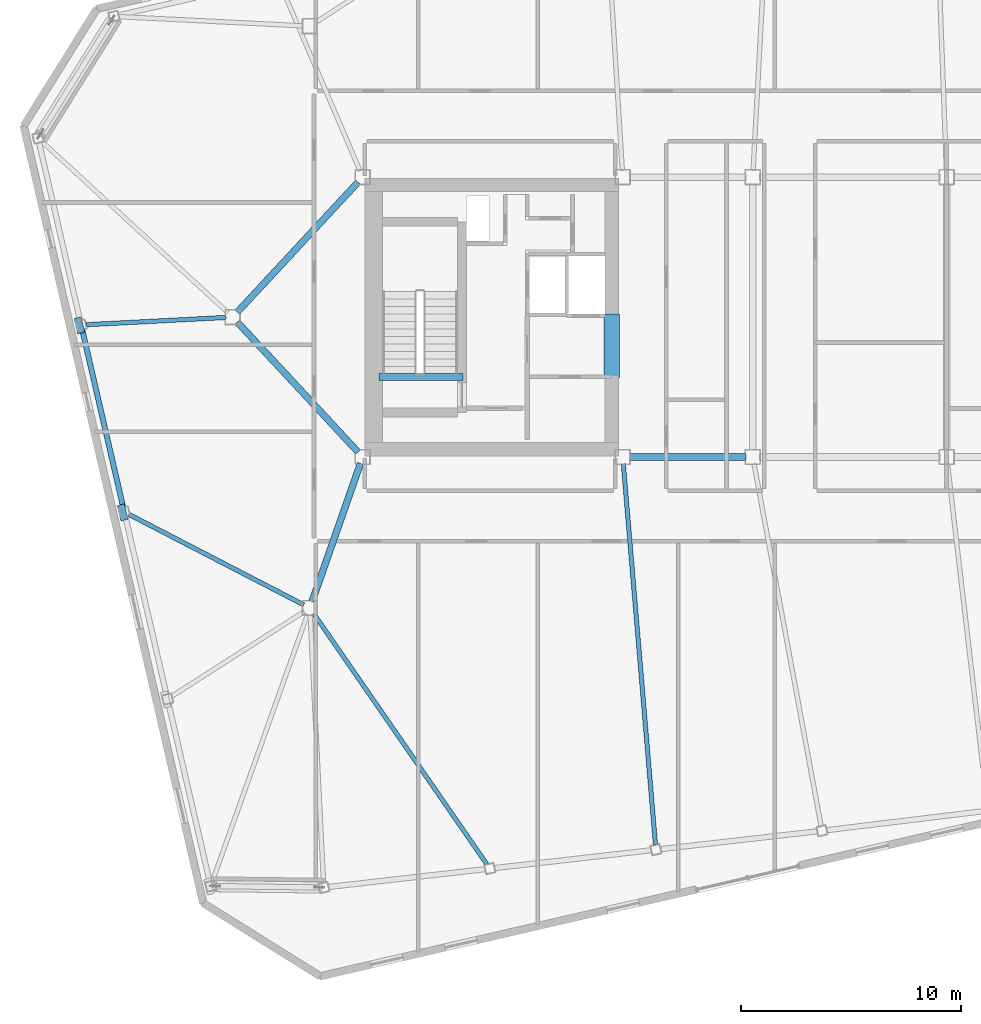
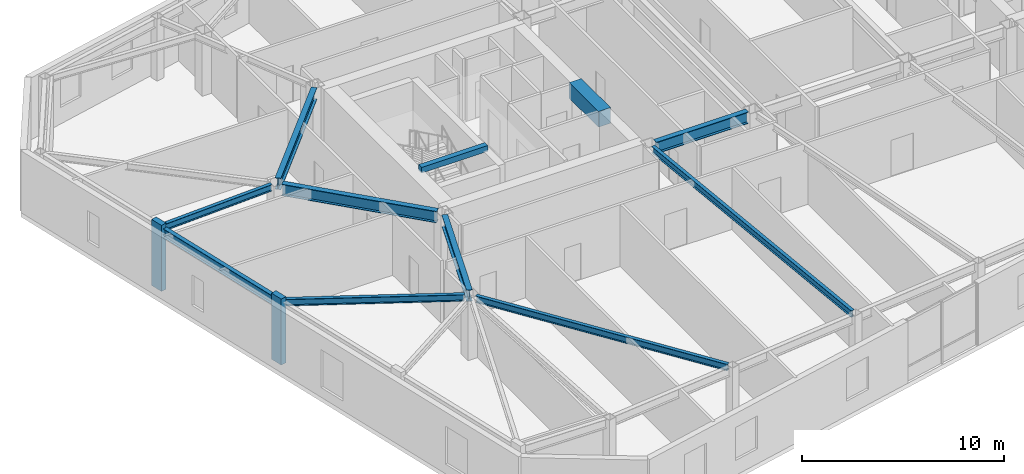
# One storey, part 6 of 23: 11 beams, 2 members.
"""IFC4 building model written with IfcOpenShell, lengths in metres."""

from ifc_helpers import new_model, si_unit, direction, frame, origin, origin_2d, place, context, subcontext, project, spatial, rectangle, i_section, extrude, material, material_profile, profile_set, type_object, element, save


model = new_model("IFC4")

# Units and contexts
model_context = context("Model", 3, precision=1e-05, world=origin(), true_north=direction((0.0, 1.0)))
body_context = subcontext(model_context, "Body", "Model", "MODEL_VIEW")
ifc_project = project(units=[si_unit("LENGTHUNIT", "METRE"), si_unit("AREAUNIT", "SQUARE_METRE"), si_unit("VOLUMEUNIT", "CUBIC_METRE"), si_unit("PLANEANGLEUNIT", "RADIAN"), si_unit("MASSUNIT", "GRAM", prefix="KILO")], contexts=[model_context])

# Site, building, storey
site_placement = place(None, origin())
site = spatial("IfcSite", under=ifc_project, at=site_placement, CompositionType="ELEMENT")
building_placement = place(site_placement, origin())
building = spatial("IfcBuilding", under=site, at=building_placement, Name="Tavrogorsk Clinical Tower", CompositionType="ELEMENT")
storey_placement = place(building_placement, frame((0.0, 0.0, 301.0)))
storey = spatial("IfcBuildingStorey", under=building, at=storey_placement, Name="L70", CompositionType="ELEMENT", Elevation=301.0)

# Beams
ifc_material_1 = material(Name="Concrete B80", Category="concrete")
ifc_material_profile_1 = material_profile(ifc_material_1, rectangle(XDim=0.699951171875, YDim=0.949951171875, at=origin_2d()), Name="RC-CB-700x950")
ifc_profile_set_1 = profile_set([ifc_material_profile_1], Name="Concrete B80")
beam_type_1 = type_object("IfcBeamType", Name="CouplingBeam_RC700x950", PredefinedType="LINTEL", material=ifc_profile_set_1)
beam_1_placement = place(storey_placement, frame((-10.800048828125, -2.75, 3.264892578125), z_axis=(0.0, 1.0, 0.0), x_axis=(-1.0, 0.0, 0.0)))
element("IfcBeam", 1, at=beam_1_placement, inside=storey, type_object=beam_type_1, Name="L70 Core West Coupling Beam", PredefinedType="LINTEL", context=body_context, shape_type="SweptSolid", body=[
    extrude(rectangle(XDim=0.699951171875, YDim=0.949951171875, at=origin_2d()), origin(), (0.0, 0.0, 1.0), 2.89990234375),
])
ifc_material_2 = material(Name="Structural steel S355", Category="steel")
ifc_material_profile_2 = material_profile(ifc_material_2, i_section(OverallWidth=0.199951171875, OverallDepth=0.39990234375, WebThickness=0.010498046875, FlangeThickness=0.01611328125, at=origin_2d()), Name="B-400x200x10.5x16")
ifc_profile_set_2 = profile_set([ifc_material_profile_2], Name="Structural steel S355")
beam_type_2 = type_object("IfcBeamType", Name="FloorBeam_B400", PredefinedType="BEAM", material=ifc_profile_set_2)
beam_2_placement = place(storey_placement, frame((-24.32373046875, -13.455078125, 3.5400390625), z_axis=(0.568335848504, -0.82279667191, 0.0), x_axis=(0.82279667191, 0.568335848504, 0.0)))
element("IfcBeam", 2, at=beam_2_placement, inside=storey, type_object=beam_type_2, Name="L70 Radial Floor Beam S2", PredefinedType="BEAM", context=body_context, shape_type="SweptSolid", body=[
    extrude(i_section(OverallWidth=0.199951171875, OverallDepth=0.39990234375, WebThickness=0.010498046875, FlangeThickness=0.01611328125, at=origin_2d()), origin(), (0.0, 0.0, 1.0), 13.831298828125),
])
beam_3_placement = place(storey_placement, frame((-10.27392578125, -6.658935546875, 3.5400390625), z_axis=(0.084215365049, -0.996447576288, 0.0), x_axis=(0.996447576288, 0.084215365049, 0.0)))
element("IfcBeam", 3, at=beam_3_placement, inside=storey, type_object=beam_type_2, Name="L70 Radial Floor Beam S3", PredefinedType="BEAM", context=body_context, shape_type="SweptSolid", body=[
    extrude(i_section(OverallWidth=0.199951171875, OverallDepth=0.39990234375, WebThickness=0.010498046875, FlangeThickness=0.01611328125, at=origin_2d()), origin(), (0.0, 0.0, 1.0), 17.3388671875),
])
beam_4_placement = place(storey_placement, frame((-28.3095703125, -0.01611328125, 3.5400390625), z_axis=(-0.99864101713, -0.052116397656, 0.0), x_axis=(0.052116397656, -0.99864101713, 0.0)))
element("IfcBeam", 4, at=beam_4_placement, inside=storey, type_object=beam_type_2, Name="L70 Radial Floor Beam W2", PredefinedType="BEAM", context=body_context, shape_type="SweptSolid", body=[
    extrude(i_section(OverallWidth=0.199951171875, OverallDepth=0.39990234375, WebThickness=0.010498046875, FlangeThickness=0.01611328125, at=origin_2d()), origin(), (0.0, 0.0, 1.0), 6.3427734375),
])
beam_5_placement = place(storey_placement, frame((-24.775390625, -13.0576171875, 3.5400390625), z_axis=(-0.888188417157, 0.459479418069, 0.0), x_axis=(-0.459479418069, -0.888188417157, 0.0)))
element("IfcBeam", 5, at=beam_5_placement, inside=storey, type_object=beam_type_2, Name="L70 Radial Floor Beam W3", PredefinedType="BEAM", context=body_context, shape_type="SweptSolid", body=[
    extrude(i_section(OverallWidth=0.199951171875, OverallDepth=0.39990234375, WebThickness=0.010498046875, FlangeThickness=0.01611328125, at=origin_2d()), origin(), (0.0, 0.0, 1.0), 8.93408203125),
])

# Members
ifc_material_3 = material(Name="Precast concrete B45 with limestone cladding", Category="masonry")
ifc_material_profile_3 = material_profile(ifc_material_3, rectangle(XDim=0.320068359375, YDim=0.719970703125, at=origin_2d()), Name="LIMESTONE-FIN-320x720")
ifc_profile_set_3 = profile_set([ifc_material_profile_3], Name="Precast concrete B45 with limestone cladding")
member_type = type_object("IfcMemberType", Name="LimestonePleatFin_320x720", PredefinedType="USERDEFINED", material=ifc_profile_set_3)
for number, where, z_axis, x_axis, name in (
    (6, (-34.95458984375, -0.376708984375, 0.0), (0.0, 0.0, 1.0), (0.974370064785, 0.224951054344, 0.0), "L70 W Pleated Stone Fin 1"),
    (7, (-32.995361328125, -8.863525390625, 0.0), (0.0, 0.0, 1.0), (0.974370064785, 0.224951054344, 0.0), "L70 W Pleated Stone Fin 2"),
):
    element("IfcMember", number, at=place(storey_placement, frame(where, z_axis=z_axis, x_axis=x_axis)), inside=storey, type_object=member_type, Name=name, ObjectType="FIN", PredefinedType="USERDEFINED", context=body_context, shape_type="SweptSolid", body=[
        extrude(rectangle(XDim=0.320068359375, YDim=0.719970703125, at=origin_2d()), origin(), (0.0, 0.0, 1.0), 4.0),
    ])

# Beams
ifc_material_4 = material(Name="Structural steel S390", Category="steel")
ifc_material_profile_4 = material_profile(ifc_material_4, i_section(OverallWidth=0.300048828125, OverallDepth=0.699951171875, WebThickness=0.01708984375, FlangeThickness=0.028076171875, at=origin_2d()), Name="B-700x300x17x28")
ifc_profile_set_4 = profile_set([ifc_material_profile_4], Name="Structural steel S390")
beam_type_3 = type_object("IfcBeamType", Name="PrimaryGirder_B700", PredefinedType="USERDEFINED", material=ifc_profile_set_4)
beam_6_placement = place(storey_placement, frame((-9.989990234375, -6.35009765625, 3.389892578125), z_axis=(1.0, 0.0, 0.0), x_axis=(0.0, 1.0, 0.0)))
element("IfcBeam", 8, at=beam_6_placement, inside=storey, type_object=beam_type_3, Name="L70 Primary Spine Girder MG-01", ObjectType="GIRDER", PredefinedType="USERDEFINED", context=body_context, shape_type="SweptSolid", body=[
    extrude(i_section(OverallWidth=0.300048828125, OverallDepth=0.699951171875, WebThickness=0.01708984375, FlangeThickness=0.028076171875, at=origin_2d()), origin(), (0.0, 0.0, 1.0), 5.280029296875),
])
beam_7_placement = place(storey_placement, frame((-24.3974609375, -12.907470703125, 3.389892578125), z_axis=(0.330666578092, 0.943747643246, 0.0), x_axis=(-0.943747643246, 0.330666578092, 0.0)))
element("IfcBeam", 9, at=beam_7_placement, inside=storey, type_object=beam_type_3, Name="L70 Spine Link Girder OPG-1", ObjectType="GIRDER", PredefinedType="USERDEFINED", context=body_context, shape_type="SweptSolid", body=[
    extrude(i_section(OverallWidth=0.300048828125, OverallDepth=0.699951171875, WebThickness=0.01708984375, FlangeThickness=0.028076171875, at=origin_2d()), origin(), (0.0, 0.0, 1.0), 6.638427734375),
])
for number, where, z_axis, x_axis, name in (
    (10, (-27.7890625, -0.22705078125, 3.389892578125), (0.680677963005, -0.732582767119, 0.0), (0.732582767119, 0.680677963005, 0.0), "L70 Spine Link Girder OPG-5"),
    (11, (-27.7890625, 0.22705078125, 3.389892578125), (0.680677963005, 0.732582767119, 0.0), (-0.732582767119, 0.680677963005, 0.0), "L70 Spine Link Girder OPG-6"),
):
    element("IfcBeam", number, at=place(storey_placement, frame(where, z_axis=z_axis, x_axis=x_axis)), inside=storey, type_object=beam_type_3, Name=name, ObjectType="GIRDER", PredefinedType="USERDEFINED", context=body_context, shape_type="SweptSolid", body=[
        extrude(i_section(OverallWidth=0.300048828125, OverallDepth=0.699951171875, WebThickness=0.01708984375, FlangeThickness=0.028076171875, at=origin_2d()), origin(), (0.0, 0.0, 1.0), 8.0478515625),
    ])
ifc_material_5 = material(Name="Structural steel S390", Category="steel")
ifc_material_profile_5 = material_profile(ifc_material_5, i_section(OverallWidth=0.239990234375, OverallDepth=0.550048828125, WebThickness=0.013916015625, FlangeThickness=0.02197265625, at=origin_2d()), Name="B-550x240x14x22")
ifc_profile_set_5 = profile_set([ifc_material_profile_5], Name="Structural steel S390")
beam_type_4 = type_object("IfcBeamType", Name="SpandrelBeam_B550", PredefinedType="SPANDREL", material=ifc_profile_set_5)
beam_8_placement = place(storey_placement, frame((-34.82421875, -0.585693359375, 3.465087890625), z_axis=(0.224950345141, -0.974370228517, 0.0), x_axis=(0.974370228517, 0.224950345141, 0.0)))
element("IfcBeam", 12, at=beam_8_placement, inside=storey, type_object=beam_type_4, Name="L70 Perimeter Spandrel W2-W3", PredefinedType="SPANDREL", context=body_context, shape_type="SweptSolid", body=[
    extrude(i_section(OverallWidth=0.239990234375, OverallDepth=0.550048828125, WebThickness=0.013916015625, FlangeThickness=0.02197265625, at=origin_2d()), origin(), (0.0, 0.0, 1.0), 8.243896484375),
])
ifc_material_6 = material(Name="Concrete B60", Category="concrete")
ifc_material_profile_6 = material_profile(ifc_material_6, rectangle(XDim=0.300048828125, YDim=0.35009765625, at=origin_2d()), Name="RC-SHB-300x350")
ifc_profile_set_6 = profile_set([ifc_material_profile_6], Name="Concrete B60")
beam_type_5 = type_object("IfcBeamType", Name="StairHeaderBeam_RC300x350", PredefinedType="BEAM", material=ifc_profile_set_6)
beam_9_placement = place(storey_placement, frame((-21.35009765625, -2.719970703125, 3.824951171875), z_axis=(1.0, 0.0, 0.0), x_axis=(0.0, 1.0, 0.0)))
element("IfcBeam", 13, at=beam_9_placement, inside=storey, type_object=beam_type_5, Name="L71 ST-W Landing Header Beam", PredefinedType="BEAM", context=body_context, shape_type="SweptSolid", body=[
    extrude(rectangle(XDim=0.300048828125, YDim=0.35009765625, at=origin_2d()), origin(), (0.0, 0.0, 1.0), 3.800048828125),
])

save(model, "model.ifc")
